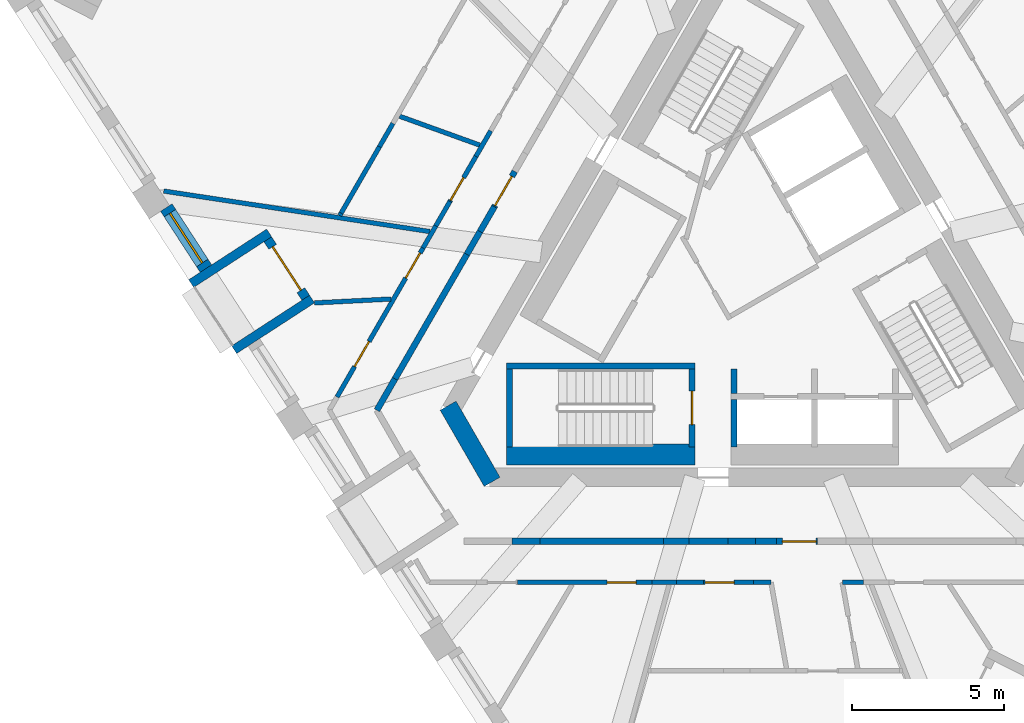
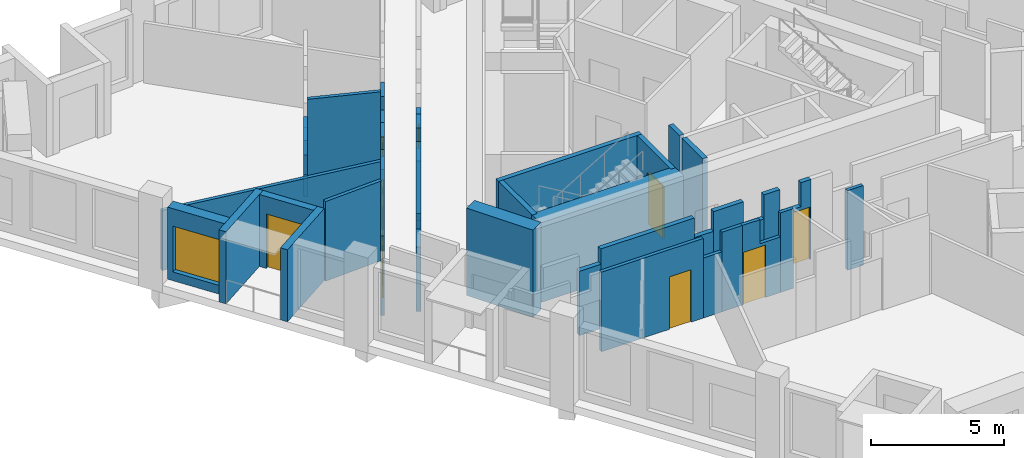
# One storey, part 3 of 12: 40 walls, 9 doors, 1 window, 10 openings.
"""IFC4 building model written with IfcOpenShell, lengths in metres."""

import ifcopenshell
import ifcopenshell.guid

model = None  # the IFC model being written
_history = None  # IfcOwnerHistory: only IFC2X3 demands one
_inside = {}  # id of a spatial element -> (the spatial element, [elements in it])
_under = {}  # id of a project, library or spatial element -> (it, [spatial elements below it])
_declared = {}  # id of a project -> (the project, [libraries it declares])
_typed = {}  # id of a type object -> (the type object, [elements of that type])
_made_of = {}  # id of a material, layer set ... -> (it, [elements and type objects made of it])


def new_model(schema):
    """Start an empty IFC model of exactly this schema.

    Asked for "IFC4X3", IfcOpenShell would pick the latest addendum, in which some entities
    have other attributes; the version numbers below select the first issue.
    IFC2X3 requires an IfcOwnerHistory on every rooted entity: one is made here for all.
    """
    global model, _history
    if schema == "IFC4X3":
        model = ifcopenshell.file(schema_version=(4, 3, 0, 0))
    else:
        model = ifcopenshell.file(schema=schema)
    _inside.clear()
    _under.clear()
    _declared.clear()
    _typed.clear()
    _made_of.clear()
    _history = None
    if model.schema == "IFC2X3":
        org = make("IfcOrganization", Name="unknown")
        user = make(
            "IfcPersonAndOrganization",
            ThePerson=make("IfcPerson", FamilyName="unknown"),
            TheOrganization=org,
        )
        app = make(
            "IfcApplication",
            ApplicationDeveloper=org,
            Version="unknown",
            ApplicationFullName="unknown",
            ApplicationIdentifier="unknown",
        )
        _history = make(
            "IfcOwnerHistory",
            OwningUser=user,
            OwningApplication=app,
            ChangeAction="ADDED",
            CreationDate=0,
        )
    return model


def make(cls, **values):
    """One entity of the class cls with the attributes given. An attribute that is None is left unset."""
    return model.create_entity(
        cls, **{name: value for name, value in values.items() if value is not None}
    )


def rooted(cls, **values):
    """An entity with a GlobalId (a new one), such as an element, a storey or a relation."""
    return make(cls, GlobalId=ifcopenshell.guid.new(), OwnerHistory=_history, **values)


def si_unit(unit_type, name, prefix=None):
    """IfcSIUnit, for example si_unit("LENGTHUNIT", "METRE", prefix="MILLI")."""
    return make("IfcSIUnit", UnitType=unit_type, Prefix=prefix, Name=name)


def assignment(units):
    """IfcUnitAssignment: the units of a project."""
    return None if units is None else make("IfcUnitAssignment", Units=units)


def point(xyz):
    """IfcCartesianPoint."""
    return None if xyz is None else make("IfcCartesianPoint", Coordinates=xyz)


def direction(xyz):
    """IfcDirection."""
    return None if xyz is None else make("IfcDirection", DirectionRatios=xyz)


def frame(location, z_axis=None, x_axis=None):
    """IfcAxis2Placement3D, a coordinate frame: its origin and axes. An axis left out is left unset."""
    return make(
        "IfcAxis2Placement3D",
        Location=point(location),
        Axis=direction(z_axis),
        RefDirection=direction(x_axis),
    )


def frame_2d(location, x_axis=None):
    """IfcAxis2Placement2D, a coordinate frame in the plane: its origin and x axis."""
    return make(
        "IfcAxis2Placement2D", Location=point(location), RefDirection=direction(x_axis)
    )


def origin():
    """The frame at (0, 0, 0) with its axes left unset."""
    return frame((0.0, 0.0, 0.0))


def place(relative_to, where):
    """IfcLocalPlacement: puts the frame where relative to a parent placement (None: the world)."""
    return make(
        "IfcLocalPlacement", PlacementRelTo=relative_to, RelativePlacement=where
    )


def context(
    kind, dimensions, precision=None, world=None, true_north=None, identifier=None
):
    """IfcGeometricRepresentationContext, for example the 3D "Model" context."""
    return make(
        "IfcGeometricRepresentationContext",
        ContextIdentifier=identifier,
        ContextType=kind,
        CoordinateSpaceDimension=dimensions,
        Precision=precision,
        WorldCoordinateSystem=world,
        TrueNorth=true_north,
    )


def subcontext(parent, identifier, kind, view, scale=None):
    """IfcGeometricRepresentationSubContext, for example "Body" below "Model"."""
    return make(
        "IfcGeometricRepresentationSubContext",
        ContextIdentifier=identifier,
        ContextType=kind,
        ParentContext=parent,
        TargetScale=scale,
        TargetView=view,
    )


def project(units=None, contexts=None):
    """IfcProject with its units and contexts."""
    return rooted(
        "IfcProject",
        Name="project",
        RepresentationContexts=contexts,
        UnitsInContext=assignment(units),
    )


def spatial(cls, under=None, at=None, **own):
    """A site, building, storey or space (cls), placed at a placement, below another one or the project."""
    s = rooted(cls, ObjectPlacement=at, **own)
    if under is not None:
        _under.setdefault(under.id(), (under, []))[1].append(s)
    return s


def polyline(points):
    """IfcPolyline through the points."""
    return make("IfcPolyline", Points=[point(p) for p in points])


def profile(cls, at=None, kind="AREA", **sizes):
    """A parametric profile (cls). Its sizes go by their IFC names, for example OverallWidth=200.0."""
    return make(cls, ProfileType=kind, Position=at, **sizes)


def rectangle(**sizes):
    """IfcRectangleProfileDef."""
    return profile("IfcRectangleProfileDef", **sizes)


def outline(outer, holes=None, kind="AREA"):
    """IfcArbitraryClosedProfileDef: a profile drawn as a closed curve; with holes, ...WithVoids."""
    if holes is None:
        return make("IfcArbitraryClosedProfileDef", ProfileType=kind, OuterCurve=outer)
    return make(
        "IfcArbitraryProfileDefWithVoids",
        ProfileType=kind,
        OuterCurve=outer,
        InnerCurves=holes,
    )


def extrude(swept, where, along, depth):
    """IfcExtrudedAreaSolid: the profile swept, set in the frame where, extruded along a direction by depth."""
    return make(
        "IfcExtrudedAreaSolid",
        SweptArea=swept,
        Position=where,
        ExtrudedDirection=direction(along),
        Depth=depth,
    )


def shape(context_of_items, identifier, shape_type, items):
    """IfcShapeRepresentation: the items that make up one representation, for example the "Body"."""
    return make(
        "IfcShapeRepresentation",
        ContextOfItems=context_of_items,
        RepresentationIdentifier=identifier,
        RepresentationType=shape_type,
        Items=items,
    )


def material(Name=None, Category=None):
    """IfcMaterial."""
    return make("IfcMaterial", Name=Name, Category=Category)


def layer(
    of_material, thickness, ventilated=None, Name=None, Category=None, Priority=None
):
    """IfcMaterialLayer: one layer of a wall or slab, of a material (None: an air gap)."""
    return make(
        "IfcMaterialLayer",
        Material=of_material,
        LayerThickness=thickness,
        IsVentilated=ventilated,
        Name=Name,
        Category=Category,
        Priority=Priority,
    )


def layer_set(layers, Name=None):
    """IfcMaterialLayerSet."""
    return make("IfcMaterialLayerSet", MaterialLayers=layers, LayerSetName=Name)


def made_of(thing, what):
    """Note that an element or type object is made of a material, layer set ...; save() writes the relation."""
    if what is not None:
        _made_of.setdefault(what.id(), (what, []))[1].append(thing)
    return thing


def type_object(cls, material=None, **own):
    """A type object (cls), such as IfcWallType, which elements share."""
    return made_of(rooted(cls, **own), material)


def element(
    cls,
    number,
    at=None,
    inside=None,
    cuts=None,
    type_object=None,
    material=None,
    context=None,
    identifier="Body",
    shape_type=None,
    held_by="IfcProductDefinitionShape",
    body=None,
    shapes=None,
    **own,
):
    """One element of the class cls, such as IfcWall. Its Tag is "e" and its number.

    at: its placement. inside: the storey or other place that contains it. cuts: it is an
    opening in that element (IfcRelVoidsElement). A single representation is given by context,
    identifier, shape_type and body (its items); several are given by shapes. held_by: the class
    of the entity that holds the representations. save() writes the other relations.
    """
    e = rooted(cls, Tag="e%d" % number, ObjectPlacement=at, **own)
    if body is not None:
        shapes = [shape(context, identifier, shape_type, body)]
    if shapes is not None:
        e.Representation = make(held_by, Representations=shapes)
    if inside is not None:
        _inside.setdefault(inside.id(), (inside, []))[1].append(e)
    if cuts is not None:
        rooted(
            "IfcRelVoidsElement", RelatingBuildingElement=cuts, RelatedOpeningElement=e
        )
    if type_object is not None:
        _typed.setdefault(type_object.id(), (type_object, []))[1].append(e)
    return made_of(e, material)


def fill(opening, filler):
    """IfcRelFillsElement: the door or window that sits in an opening."""
    return rooted(
        "IfcRelFillsElement",
        RelatingOpeningElement=opening,
        RelatedBuildingElement=filler,
    )


def aggregate(whole, parts):
    """IfcRelAggregates: a whole, such as a stair, and the parts it consists of."""
    return rooted("IfcRelAggregates", RelatingObject=whole, RelatedObjects=parts)


def save(model, path):
    """Write the relations noted so far, then the file.

    IfcRelAggregates (storeys below a building ...), IfcRelContainedInSpatialStructure (elements
    in a storey), IfcRelDefinesByType, IfcRelAssociatesMaterial and IfcRelDeclares: one each for
    every whole, place, type object, material and project.
    """
    for whole, parts in _under.values():
        aggregate(whole, parts)
    for where, things in _inside.values():
        rooted(
            "IfcRelContainedInSpatialStructure",
            RelatedElements=things,
            RelatingStructure=where,
        )
    for kind, things in _typed.values():
        rooted("IfcRelDefinesByType", RelatedObjects=things, RelatingType=kind)
    for what, things in _made_of.values():
        rooted("IfcRelAssociatesMaterial", RelatedObjects=things, RelatingMaterial=what)
    for by, libraries in _declared.values():
        rooted("IfcRelDeclares", RelatingContext=by, RelatedDefinitions=libraries)
    model.write(path)


model = new_model("IFC4")

# Units and contexts
model_context = context("Model", 3, precision=1e-05, world=origin(), true_north=direction((0.0, 1.0)))
body_context = subcontext(model_context, "Body", "Model", "MODEL_VIEW")
ifc_project = project(units=[si_unit("LENGTHUNIT", "METRE"), si_unit("AREAUNIT", "SQUARE_METRE"), si_unit("VOLUMEUNIT", "CUBIC_METRE"), si_unit("PLANEANGLEUNIT", "RADIAN"), si_unit("MASSUNIT", "GRAM", prefix="KILO")], contexts=[model_context])

# Site, building, storey
site_placement = place(None, origin())
site = spatial("IfcSite", under=ifc_project, at=site_placement, CompositionType="ELEMENT")
building_placement = place(site_placement, origin())
building = spatial("IfcBuilding", under=site, at=building_placement, Name="Tramontana Tower", CompositionType="ELEMENT")
storey_placement = place(building_placement, frame((0.0, 0.0, 274.39990234375)))
storey = spatial("IfcBuildingStorey", under=building, at=storey_placement, Name="L64", CompositionType="ELEMENT", Elevation=274.39990234375)

# Wall
ifc_material_1 = material(Name="Concrete 70 MPa", Category="concrete")
ifc_layer_1 = layer(ifc_material_1, 0.60009765625)
ifc_layer_set_1 = layer_set([ifc_layer_1], Name="Core wall 600 70 MPa")
wall_type_1 = type_object("IfcWallType", Name="Core wall 600 70 MPa", PredefinedType="SHEAR", material=ifc_layer_set_1)
wall_1_placement = place(storey_placement, frame((-9.98828125, -4.10009765625, 0.0), z_axis=(0.0, 0.0, 1.0), x_axis=(0.499995765644, -0.866027848477, 0.0)))
element("IfcWall", 1, at=wall_1_placement, inside=storey, type_object=wall_type_1, Name="Core wall C2 L64", PredefinedType="SHEAR", context=body_context, shape_type="SweptSolid", body=[
    extrude(rectangle(XDim=2.88671875, YDim=0.60009765625, at=frame_2d((1.443359375, 0.0))), origin(), (0.0, 0.0, 1.0), 4.0),
])

# Wall, opening, door
ifc_material_2 = material(Name="Blockwork", Category="masonry")
ifc_layer_2 = layer(ifc_material_2, 0.199951171875)
ifc_layer_set_2 = layer_set([ifc_layer_2], Name="ENTRY WALL 200")
wall_type_2 = type_object("IfcWallType", Name="ENTRY WALL 200", PredefinedType="SOLIDWALL", material=ifc_layer_set_2)
wall_2_placement = place(storey_placement, frame((2.13427734375, -8.550048828125, 0.0), z_axis=(0.0, 0.0, 1.0), x_axis=(-1.0, 0.0, 0.0)))
wall_2 = element("IfcWall", 2, at=wall_2_placement, inside=storey, type_object=wall_type_2, Name="Wall v70-ew1-4", PredefinedType="SOLIDWALL", context=body_context, shape_type="SweptSolid", body=[
    extrude(outline(polyline([(0.0, 0.0), (1.339111328125, 0.0), (1.3388671875, 2.550048828125), (0.429443359375, 2.550048828125), (0.429443359375, 3.650146484375), (0.0, 3.650146484375), (0.0, 0.0)])), frame((0.0, 0.10009765625, 0.0), z_axis=(0.0, -1.0, 0.0), x_axis=(1.0, 0.0, 0.0)), (0.0, 0.0, 1.0), 0.199951171875),
])
opening_1_placement = place(wall_2_placement, frame((0.050048828125, 0.0, 0.0)))
opening_1 = element("IfcOpeningElement", 3, at=opening_1_placement, cuts=wall_2, Name="Opening B7A-22", PredefinedType="OPENING", context=body_context, shape_type="SweptSolid", body=[
    extrude(rectangle(XDim=1.10009765625, YDim=2.39990234375, at=frame_2d((0.550048828125, 1.199951171875))), frame((0.0, 0.10986328125, 0.0), z_axis=(0.0, -1.0, 0.0), x_axis=(1.0, 0.0, 0.0)), (0.0, 0.0, 1.0), 0.219970703125),
])
ifc_material_3 = material(Name="Painted timber", Category="wood")
door_type_1 = type_object("IfcDoorType", Name="DOOR ENTRY 1100", OperationType="SINGLE_SWING_LEFT", PredefinedType="DOOR", material=ifc_material_3)
door_1_placement = place(opening_1_placement, origin())
door_1 = element("IfcDoor", 4, at=door_1_placement, inside=storey, type_object=door_type_1, Name="Door B7A-22", OperationType="SINGLE_SWING_RIGHT", OverallHeight=2.39990234375, OverallWidth=1.10009765625, PredefinedType="DOOR", context=body_context, shape_type="SweptSolid", body=[
    extrude(rectangle(XDim=1.10009765625, YDim=2.39990234375, at=frame_2d((0.550048828125, 1.199951171875))), frame((0.0, 0.02490234375, 0.0), z_axis=(0.0, -1.0, 0.0), x_axis=(1.0, 0.0, 0.0)), (0.0, 0.0, 1.0), 0.050048828125),
])
fill(opening_1, door_1)

# Walls
wall_3_placement = place(storey_placement, frame((0.795166015625, -8.550048828125, 0.0), z_axis=(0.0, 0.0, 1.0), x_axis=(-1.0, 0.0, 0.0)))
element("IfcWall", 5, at=wall_3_placement, inside=storey, type_object=wall_type_2, Name="Wall v70-ew1-5", PredefinedType="SOLIDWALL", context=body_context, shape_type="SweptSolid", body=[
    extrude(rectangle(XDim=0.69091796875, YDim=0.199951171875, at=frame_2d((0.345458984375, 0.0))), origin(), (0.0, 0.0, 1.0), 3.650146484375),
])
wall_4_placement = place(storey_placement, frame((0.104248046875, -8.550048828125, 0.0), z_axis=(0.0, 0.0, 1.0), x_axis=(-1.0, 0.0, 0.0)))
element("IfcWall", 6, at=wall_4_placement, inside=storey, type_object=wall_type_2, Name="Wall v70-ew1-6", PredefinedType="SOLIDWALL", context=body_context, shape_type="SweptSolid", body=[
    extrude(rectangle(XDim=0.900634765625, YDim=0.199951171875, at=frame_2d((0.4501953125, 0.0))), origin(), (0.0, 0.0, 1.0), 2.550048828125),
])
wall_5_placement = place(storey_placement, frame((-0.79638671875, -8.550048828125, 0.0), z_axis=(0.0, 0.0, 1.0), x_axis=(-1.0, 0.0, 0.0)))
element("IfcWall", 7, at=wall_5_placement, inside=storey, type_object=wall_type_2, Name="Wall v70-ew1-7", PredefinedType="SOLIDWALL", context=body_context, shape_type="SweptSolid", body=[
    extrude(rectangle(XDim=1.2861328125, YDim=0.199951171875, at=frame_2d((0.64306640625, 0.0))), origin(), (0.0, 0.0, 1.0), 3.650146484375),
])
wall_6_placement = place(storey_placement, frame((-2.08251953125, -8.550048828125, 0.0), z_axis=(0.0, 0.0, 1.0), x_axis=(-1.0, 0.0, 0.0)))
element("IfcWall", 8, at=wall_6_placement, inside=storey, type_object=wall_type_2, Name="Wall v70-ew1-8", PredefinedType="SOLIDWALL", context=body_context, shape_type="SweptSolid", body=[
    extrude(rectangle(XDim=0.83349609375, YDim=0.199951171875, at=frame_2d((0.416748046875, 0.0))), origin(), (0.0, 0.0, 1.0), 2.75),
])
wall_7_placement = place(storey_placement, frame((-2.916015625, -8.550048828125, 0.0), z_axis=(0.0, 0.0, 1.0), x_axis=(-1.0, 0.0, 0.0)))
element("IfcWall", 9, at=wall_7_placement, inside=storey, type_object=wall_type_2, Name="Wall v70-ew1-9", PredefinedType="SOLIDWALL", context=body_context, shape_type="SweptSolid", body=[
    extrude(rectangle(XDim=4.052490234375, YDim=0.199951171875, at=frame_2d((2.0263671875, 0.0))), origin(), (0.0, 0.0, 1.0), 3.650146484375),
])
wall_8_placement = place(storey_placement, frame((-6.968505859375, -8.550048828125, 0.0), z_axis=(0.0, 0.0, 1.0), x_axis=(-1.0, 0.0, 0.0)))
element("IfcWall", 10, at=wall_8_placement, inside=storey, type_object=wall_type_2, Name="Wall v70-ew1-10", PredefinedType="SOLIDWALL", context=body_context, shape_type="SweptSolid", body=[
    extrude(rectangle(XDim=0.927490234375, YDim=0.199951171875, at=frame_2d((0.4638671875, 0.0))), origin(), (0.0, 0.0, 1.0), 2.9501953125),
])
wall_9_placement = place(storey_placement, frame((-12.326416015625, -4.25, 0.0), z_axis=(0.0, 0.0, 1.0), x_axis=(0.499983247966, 0.86603507536, 0.0)))
element("IfcWall", 11, at=wall_9_placement, inside=storey, type_object=wall_type_2, Name="Wall v70-ew3-0", PredefinedType="SOLIDWALL", context=body_context, shape_type="SweptSolid", body=[
    extrude(rectangle(XDim=1.1884765625, YDim=0.199951171875, at=frame_2d((0.59423828125, 0.0))), origin(), (0.0, 0.0, 1.0), 2.9501953125),
])
wall_10_placement = place(storey_placement, frame((-11.732177734375, -3.220703125, 0.0), z_axis=(0.0, 0.0, 1.0), x_axis=(0.500007683529, 0.866020967652, 0.0)))
element("IfcWall", 12, at=wall_10_placement, inside=storey, type_object=wall_type_2, Name="Wall v70-ew3-1", PredefinedType="SOLIDWALL", context=body_context, shape_type="SweptSolid", body=[
    extrude(rectangle(XDim=4.71728515625, YDim=0.199951171875, at=frame_2d((2.358642578125, 0.0))), origin(), (0.0, 0.0, 1.0), 3.650146484375),
])
wall_11_placement = place(storey_placement, frame((-9.37353515625, 0.864501953125, 0.0), z_axis=(0.0, 0.0, 1.0), x_axis=(0.500056482814, 0.86599279096, 0.0)))
element("IfcWall", 13, at=wall_11_placement, inside=storey, type_object=wall_type_2, Name="Wall v70-ew3-2", PredefinedType="SOLIDWALL", context=body_context, shape_type="SweptSolid", body=[
    extrude(rectangle(XDim=0.86474609375, YDim=0.199951171875, at=frame_2d((0.432373046875, 0.0))), origin(), (0.0, 0.0, 1.0), 2.75),
])
wall_12_placement = place(storey_placement, frame((-8.941162109375, 1.61328125, 0.0), z_axis=(0.0, 0.0, 1.0), x_axis=(0.499857464265, 0.866107681191, 0.0)))
element("IfcWall", 14, at=wall_12_placement, inside=storey, type_object=wall_type_2, Name="Wall v70-ew3-3", PredefinedType="SOLIDWALL", context=body_context, shape_type="SweptSolid", body=[
    extrude(rectangle(XDim=0.939208984375, YDim=0.199951171875, at=frame_2d((0.4697265625, 0.0))), origin(), (0.0, 0.0, 1.0), 3.650146484375),
])

# Wall, opening, door
wall_13_placement = place(storey_placement, frame((-8.4716796875, 2.4267578125, 0.0), z_axis=(0.0, 0.0, 1.0), x_axis=(0.500022371132, 0.86601248742, 0.0)))
wall_13 = element("IfcWall", 15, at=wall_13_placement, inside=storey, type_object=wall_type_2, Name="Wall v70-ew3-4", PredefinedType="SOLIDWALL", context=body_context, shape_type="SweptSolid", body=[
    extrude(outline(polyline([(0.0, 0.0), (1.3388671875, 0.0), (1.3388671875, 2.550048828125), (0.429443359375, 2.550048828125), (0.429443359375, 3.650146484375), (0.0, 3.650146484375), (0.0, 0.0)])), frame((0.0, 0.10009765625, 0.0), z_axis=(0.0, -1.0, 0.0), x_axis=(1.0, 0.0, 0.0)), (0.0, 0.0, 1.0), 0.199951171875),
])
opening_2_placement = place(wall_13_placement, frame((0.050048828125, 0.0, 0.0)))
opening_2 = element("IfcOpeningElement", 16, at=opening_2_placement, cuts=wall_13, Name="Opening B7A-21", PredefinedType="OPENING", context=body_context, shape_type="SweptSolid", body=[
    extrude(rectangle(XDim=1.10009765625, YDim=2.39990234375, at=frame_2d((0.550048828125, 1.199951171875))), frame((0.0, 0.10986328125, 0.0), z_axis=(0.0, -1.0, 0.0), x_axis=(1.0, 0.0, 0.0)), (0.0, 0.0, 1.0), 0.219970703125),
])
door_2_placement = place(opening_2_placement, origin())
door_2 = element("IfcDoor", 17, at=door_2_placement, inside=storey, type_object=door_type_1, Name="Door B7A-21", OperationType="SINGLE_SWING_LEFT", OverallHeight=2.39990234375, OverallWidth=1.10009765625, PredefinedType="DOOR", context=body_context, shape_type="SweptSolid", body=[
    extrude(rectangle(XDim=1.10009765625, YDim=2.39990234375, at=frame_2d((0.550048828125, 1.199951171875))), frame((0.0, 0.02490234375, 0.0), z_axis=(0.0, -1.0, 0.0), x_axis=(1.0, 0.0, 0.0)), (0.0, 0.0, 1.0), 0.050048828125),
])
fill(opening_2, door_2)

# Wall, opening, window
ifc_material_4 = material(Name="Precast concrete 60 MPa", Category="concrete")
ifc_layer_3 = layer(ifc_material_4, 0.449951171875)
ifc_layer_set_3 = layer_set([ifc_layer_3], Name="Precast concrete 60 MPa, 450 mm")
wall_type_3 = type_object("IfcWallType", Name="EW1 Stone-faced precast wall 450", PredefinedType="SOLIDWALL", material=ifc_layer_set_3)
wall_14_placement = place(storey_placement, frame((-19.236083984375, 2.401123046875, 0.0), z_axis=(0.0, 0.0, 1.0), x_axis=(0.544675520966, -0.838646872563, 0.0)))
wall_14 = element("IfcWall", 18, at=wall_14_placement, inside=storey, type_object=wall_type_3, Name="External wall L64 face 0 bay 2", PredefinedType="SOLIDWALL", context=body_context, shape_type="SweptSolid", body=[
    extrude(rectangle(XDim=2.38671875, YDim=0.449951171875, at=frame_2d((1.193359375, 0.0))), origin(), (0.0, 0.0, 1.0), 3.300048828125),
])
opening_3_placement = place(wall_14_placement, frame((0.21826171875, 0.0, 0.39990234375)))
opening_3 = element("IfcOpeningElement", 19, at=opening_3_placement, cuts=wall_14, Name="Opening M3L", PredefinedType="OPENING", context=body_context, shape_type="SweptSolid", body=[
    extrude(rectangle(XDim=1.949951171875, YDim=2.10009765625, at=frame_2d((0.97509765625, 1.050048828125))), frame((0.0, 0.23486328125, 0.0), z_axis=(0.0, -1.0, 0.0), x_axis=(1.0, 0.0, 0.0)), (0.0, 0.0, 1.0), 0.469970703125),
])
ifc_material_5 = material(Name="Aluminum frame, double glazing unit", Category="aluminium")
window_type = type_object("IfcWindowType", Name="M3L Window 1.95 x 2.1", PartitioningType="SINGLE_PANEL", PredefinedType="WINDOW", material=ifc_material_5)
window_placement = place(opening_3_placement, origin())
window = element("IfcWindow", 20, at=window_placement, inside=storey, type_object=window_type, Name="Window M3L L64 face 0 module 4", OverallHeight=2.10009765625, OverallWidth=1.949951171875, PartitioningType="SINGLE_PANEL", PredefinedType="WINDOW", context=body_context, shape_type="SweptSolid", body=[
    extrude(rectangle(XDim=1.949951171875, YDim=2.10009765625, at=frame_2d((0.97509765625, 1.050048828125))), frame((0.0, 0.030029296875, 0.0), z_axis=(0.0, -1.0, 0.0), x_axis=(1.0, 0.0, 0.0)), (0.0, 0.0, 1.0), 0.06005859375),
])
fill(opening_3, window)

# Wall, opening, door
ifc_material_6 = material(Name="Precast concrete 60 MPa", Category="concrete")
ifc_layer_4 = layer(ifc_material_6, 0.300048828125)
ifc_layer_set_4 = layer_set([ifc_layer_4], Name="LW1 Stone-faced loggia wall 300")
wall_type_4 = type_object("IfcWallType", Name="LW1 Stone-faced loggia wall 300", PredefinedType="SOLIDWALL", material=ifc_layer_set_4)
wall_15_placement = place(storey_placement, frame((-15.90673828125, 1.359619140625, 0.0), z_axis=(0.0, 0.0, 1.0), x_axis=(0.544658103125, -0.838658184662, 0.0)))
wall_15 = element("IfcWall", 21, at=wall_15_placement, inside=storey, type_object=wall_type_4, Name="Loggia wall L64 G7S0.4", PredefinedType="SOLIDWALL", context=body_context, shape_type="SweptSolid", body=[
    extrude(rectangle(XDim=2.286865234375, YDim=0.300048828125, at=frame_2d((1.1435546875, 0.0))), origin(), (0.0, 0.0, 1.0), 3.300048828125),
])
opening_4_placement = place(wall_15_placement, frame((0.29345703125, 0.0, 0.0)))
opening_4 = element("IfcOpeningElement", 22, at=opening_4_placement, cuts=wall_15, Name="Opening BD-7S0-04", PredefinedType="OPENING", context=body_context, shape_type="SweptSolid", body=[
    extrude(rectangle(XDim=1.699951171875, YDim=2.5, at=frame_2d((0.85009765625, 1.25))), frame((0.0, 0.159912109375, 0.0), z_axis=(0.0, -1.0, 0.0), x_axis=(1.0, 0.0, 0.0)), (0.0, 0.0, 1.0), 0.320068359375),
])
ifc_material_7 = material(Name="Aluminum frame, double glazing unit", Category="aluminium")
door_type_2 = type_object("IfcDoorType", Name="BD3 Sliding door 1.7 x 2.5", OperationType="SLIDING_TO_LEFT", PredefinedType="DOOR", material=ifc_material_7)
door_3_placement = place(opening_4_placement, origin())
door_3 = element("IfcDoor", 23, at=door_3_placement, inside=storey, type_object=door_type_2, Name="Loggia door L64 G7S0.4", OperationType="SLIDING_TO_LEFT", OverallHeight=2.5, OverallWidth=1.699951171875, PredefinedType="DOOR", context=body_context, shape_type="SweptSolid", body=[
    extrude(rectangle(XDim=1.699951171875, YDim=2.5, at=frame_2d((0.85009765625, 1.25))), frame((0.0, 0.02490234375, 0.0), z_axis=(0.0, -1.0, 0.0), x_axis=(1.0, 0.0, 0.0)), (0.0, 0.0, 1.0), 0.050048828125),
])
fill(opening_4, door_3)

# Walls
for number, where, z_axis, x_axis, name in (
    (24, (-18.42041015625, -0.093994140625, 0.0), (0.0, 0.0, 1.0), (0.838664840319, 0.544647854685, 0.0), "Loggia return L64 G7S0.4a"),
    (25, (-17.01171875, -2.263427734375, 0.0), (0.0, 0.0, 1.0), (0.838664840319, 0.544647854685, 0.0), "Loggia return L64 G7S0.4b"),
):
    element("IfcWall", number, at=place(storey_placement, frame(where, z_axis=z_axis, x_axis=x_axis)), inside=storey, type_object=wall_type_4, Name=name, PredefinedType="SOLIDWALL", context=body_context, shape_type="SweptSolid", body=[
        extrude(rectangle(XDim=3.0498046875, YDim=0.300048828125, at=frame_2d((1.52490234375, 0.0))), origin(), (0.0, 0.0, 1.0), 3.300048828125),
    ])

# Wall, openings, doors
ifc_material_8 = material(Name="Gypsum board partition")
ifc_layer_5 = layer(ifc_material_8, 0.14990234375)
ifc_layer_set_5 = layer_set([ifc_layer_5], Name="PARTITION 150")
wall_type_5 = type_object("IfcWallType", Name="PARTITION 150", PredefinedType="PARTITIONING", material=ifc_layer_set_5)
wall_16_placement = place(storey_placement, frame((-13.63427734375, -3.815185546875, 0.0), z_axis=(0.0, 0.0, 1.0), x_axis=(0.500005829693, 0.866022037983, 0.0)))
wall_16 = element("IfcWall", 26, at=wall_16_placement, inside=storey, type_object=wall_type_5, Name="Wall v70-pw00-1", PredefinedType="PARTITIONING", context=body_context, shape_type="SweptSolid", body=[
    extrude(rectangle(XDim=5.64306640625, YDim=0.14990234375, at=frame_2d((2.821533203125, 0.0))), origin(), (0.0, 0.0, 1.0), 3.650146484375),
])
opening_5_placement = place(wall_16_placement, frame((4.509765625, 0.0, 0.0)))
opening_5 = element("IfcOpeningElement", 27, at=opening_5_placement, cuts=wall_16, Name="Opening B7A-05", PredefinedType="OPENING", context=body_context, shape_type="SweptSolid", body=[
    extrude(rectangle(XDim=0.949951171875, YDim=2.39990234375, at=frame_2d((0.47509765625, 1.199951171875))), frame((0.0, 0.0849609375, 0.0), z_axis=(0.0, -1.0, 0.0), x_axis=(1.0, 0.0, 0.0)), (0.0, 0.0, 1.0), 0.169921875),
])
opening_6_placement = place(wall_16_placement, frame((1.15380859375, 0.0, 0.0)))
opening_6 = element("IfcOpeningElement", 28, at=opening_6_placement, cuts=wall_16, Name="Opening B7A-06", PredefinedType="OPENING", context=body_context, shape_type="SweptSolid", body=[
    extrude(rectangle(XDim=0.949951171875, YDim=2.39990234375, at=frame_2d((0.47509765625, 1.199951171875))), frame((0.0, 0.0849609375, 0.0), z_axis=(0.0, -1.0, 0.0), x_axis=(1.0, 0.0, 0.0)), (0.0, 0.0, 1.0), 0.169921875),
])
ifc_material_9 = material(Name="Painted timber", Category="wood")
door_type_3 = type_object("IfcDoorType", Name="DOOR ROOM 950", OperationType="SINGLE_SWING_LEFT", PredefinedType="DOOR", material=ifc_material_9)
door_4_placement = place(opening_5_placement, origin())
door_4 = element("IfcDoor", 29, at=door_4_placement, inside=storey, type_object=door_type_3, Name="Door B7A-05", OperationType="SINGLE_SWING_LEFT", OverallHeight=2.39990234375, OverallWidth=0.949951171875, PredefinedType="DOOR", context=body_context, shape_type="SweptSolid", body=[
    extrude(rectangle(XDim=0.949951171875, YDim=2.39990234375, at=frame_2d((0.47509765625, 1.199951171875))), frame((0.0, 0.02490234375, 0.0), z_axis=(0.0, -1.0, 0.0), x_axis=(1.0, 0.0, 0.0)), (0.0, 0.0, 1.0), 0.050048828125),
])
fill(opening_5, door_4)
door_5_placement = place(opening_6_placement, origin())
door_5 = element("IfcDoor", 30, at=door_5_placement, inside=storey, type_object=door_type_3, Name="Door B7A-06", OperationType="SINGLE_SWING_RIGHT", OverallHeight=2.39990234375, OverallWidth=0.949951171875, PredefinedType="DOOR", context=body_context, shape_type="SweptSolid", body=[
    extrude(rectangle(XDim=0.949951171875, YDim=2.39990234375, at=frame_2d((0.47509765625, 1.199951171875))), frame((0.0, 0.02490234375, 0.0), z_axis=(0.0, -1.0, 0.0), x_axis=(1.0, 0.0, 0.0)), (0.0, 0.0, 1.0), 0.050048828125),
])
fill(opening_6, door_5)

# Walls
wall_17_placement = place(storey_placement, frame((-10.812744140625, 1.07177734375, 0.0), z_axis=(0.0, 0.0, 1.0), x_axis=(0.500025132165, 0.866010893236, 0.0)))
element("IfcWall", 31, at=wall_17_placement, inside=storey, type_object=wall_type_5, Name="Wall v70-pw00-2", PredefinedType="PARTITIONING", context=body_context, shape_type="SweptSolid", body=[
    extrude(rectangle(XDim=0.837890625, YDim=0.14990234375, at=frame_2d((0.4189453125, 0.0))), origin(), (0.0, 0.0, 1.0), 2.75),
])
wall_18_placement = place(storey_placement, frame((-10.393798828125, 1.79736328125, 0.0), z_axis=(0.0, 0.0, 1.0), x_axis=(0.499996383721, 0.866027491634, 0.0)))
element("IfcWall", 32, at=wall_18_placement, inside=storey, type_object=wall_type_5, Name="Wall v70-pw00-3", PredefinedType="PARTITIONING", context=body_context, shape_type="SweptSolid", body=[
    extrude(rectangle(XDim=0.92578125, YDim=0.14990234375, at=frame_2d((0.462890625, 0.0))), origin(), (0.0, 0.0, 1.0), 3.650146484375),
])

# Wall, opening, door
wall_19_placement = place(storey_placement, frame((-9.930908203125, 2.59912109375, 0.0), z_axis=(0.0, 0.0, 1.0), x_axis=(0.500056273262, 0.865992911964, 0.0)))
wall_19 = element("IfcWall", 33, at=wall_19_placement, inside=storey, type_object=wall_type_5, Name="Wall v70-pw00-4", PredefinedType="PARTITIONING", context=body_context, shape_type="SweptSolid", body=[
    extrude(outline(polyline([(0.0, 0.0), (1.709228515625, 0.0), (1.709228515625, 2.550048828125), (0.824951171875, 2.550048828125), (0.824951171875, 3.650146484375), (0.0, 3.650146484375), (0.0, 0.0)])), frame((0.0, 0.074951171875, 0.0), z_axis=(0.0, -1.0, 0.0), x_axis=(1.0, 0.0, 0.0)), (0.0, 0.0, 1.0), 0.14990234375),
])
opening_7_placement = place(wall_19_placement, frame((0.050048828125, 0.0, 0.0)))
opening_7 = element("IfcOpeningElement", 34, at=opening_7_placement, cuts=wall_19, Name="Opening B7A-02", PredefinedType="OPENING", context=body_context, shape_type="SweptSolid", body=[
    extrude(rectangle(XDim=0.85009765625, YDim=2.39990234375, at=frame_2d((0.425048828125, 1.199951171875))), frame((0.0, 0.0849609375, 0.0), z_axis=(0.0, -1.0, 0.0), x_axis=(1.0, 0.0, 0.0)), (0.0, 0.0, 1.0), 0.169921875),
])
ifc_material_10 = material(Name="Painted timber", Category="wood")
door_type_4 = type_object("IfcDoorType", Name="DOOR BATH 850", OperationType="SINGLE_SWING_LEFT", PredefinedType="DOOR", material=ifc_material_10)
door_6_placement = place(opening_7_placement, origin())
door_6 = element("IfcDoor", 35, at=door_6_placement, inside=storey, type_object=door_type_4, Name="Door B7A-02", OperationType="SINGLE_SWING_RIGHT", OverallHeight=2.39990234375, OverallWidth=0.85009765625, PredefinedType="DOOR", context=body_context, shape_type="SweptSolid", body=[
    extrude(rectangle(XDim=0.85009765625, YDim=2.39990234375, at=frame_2d((0.425048828125, 1.199951171875))), frame((0.0, 0.02490234375, 0.0), z_axis=(0.0, -1.0, 0.0), x_axis=(1.0, 0.0, 0.0)), (0.0, 0.0, 1.0), 0.050048828125),
])
fill(opening_7, door_6)

# Walls
wall_20_placement = place(storey_placement, frame((-9.076171875, 4.079345703125, 0.0), z_axis=(0.0, 0.0, 1.0), x_axis=(0.499882561262, 0.866093196455, 0.0)))
element("IfcWall", 36, at=wall_20_placement, inside=storey, type_object=wall_type_5, Name="Wall v70-pw00-5", PredefinedType="PARTITIONING", context=body_context, shape_type="SweptSolid", body=[
    extrude(rectangle(XDim=0.968017578125, YDim=0.14990234375, at=frame_2d((0.48388671875, 0.0))), origin(), (0.0, 0.0, 1.0), 3.650146484375),
])
wall_21_placement = place(storey_placement, frame((-13.545166015625, 2.13916015625, 0.0), z_axis=(0.0, 0.0, 1.0), x_axis=(0.499332966107, 0.866410173624, 0.0)))
element("IfcWall", 37, at=wall_21_placement, inside=storey, type_object=wall_type_5, Name="Wall v70-pw02-0", PredefinedType="PARTITIONING", context=body_context, shape_type="SweptSolid", body=[
    extrude(rectangle(XDim=0.09033203125, YDim=0.14990234375, at=frame_2d((0.045166015625, 0.0))), origin(), (0.0, 0.0, 1.0), 2.75),
])
wall_22_placement = place(storey_placement, frame((-13.5, 2.217529296875, 0.0), z_axis=(0.0, 0.0, 1.0), x_axis=(0.500010832295, 0.866019149666, 0.0)))
element("IfcWall", 38, at=wall_22_placement, inside=storey, type_object=wall_type_5, Name="Wall v70-pw02-1", PredefinedType="PARTITIONING", context=body_context, shape_type="SweptSolid", body=[
    extrude(rectangle(XDim=2.51611328125, YDim=0.14990234375, at=frame_2d((1.258056640625, 0.0))), origin(), (0.0, 0.0, 1.0), 3.650146484375),
])
wall_23_placement = place(storey_placement, frame((-12.241943359375, 4.396484375, 0.0), z_axis=(0.0, 0.0, 1.0), x_axis=(0.500088960417, 0.865974036371, 0.0)))
element("IfcWall", 39, at=wall_23_placement, inside=storey, type_object=wall_type_5, Name="Wall v70-pw02-2", PredefinedType="PARTITIONING", context=body_context, shape_type="SweptSolid", body=[
    extrude(rectangle(XDim=0.884033203125, YDim=0.14990234375, at=frame_2d((0.44189453125, 0.0))), origin(), (0.0, 0.0, 1.0), 2.550048828125),
])
wall_24_placement = place(storey_placement, frame((-11.865234375, -0.60107421875, 0.0), z_axis=(0.0, 0.0, 1.0), x_axis=(-0.99871519822, -0.050674972563, 0.0)))
element("IfcWall", 40, at=wall_24_placement, inside=storey, type_object=wall_type_5, Name="Wall v70-pw04", PredefinedType="PARTITIONING", context=body_context, shape_type="SweptSolid", body=[
    extrude(rectangle(XDim=2.510009765625, YDim=0.14990234375, at=frame_2d((1.2548828125, 0.0))), origin(), (0.0, 0.0, 1.0), 3.650146484375),
])
wall_25_placement = place(storey_placement, frame((-10.587158203125, 1.61279296875, 0.0), z_axis=(0.0, 0.0, 1.0), x_axis=(-0.988598095377, 0.150578238191, 0.0)))
element("IfcWall", 41, at=wall_25_placement, inside=storey, type_object=wall_type_5, Name="Wall v70-pw07-0", PredefinedType="PARTITIONING", context=body_context, shape_type="SweptSolid", body=[
    extrude(rectangle(XDim=8.833251953125, YDim=0.14990234375, at=frame_2d((4.41650390625, 0.0))), origin(), (0.0, 0.0, 1.0), 2.75),
])
wall_26_placement = place(storey_placement, frame((-8.949462890625, 4.44921875, 0.0), z_axis=(0.0, 0.0, 1.0), x_axis=(-0.940703467008, 0.33922999154, 0.0)))
element("IfcWall", 42, at=wall_26_placement, inside=storey, type_object=wall_type_5, Name="Wall v70-pw08", PredefinedType="PARTITIONING", context=body_context, shape_type="SweptSolid", body=[
    extrude(rectangle(XDim=2.7939453125, YDim=0.14990234375, at=frame_2d((1.39697265625, 0.0))), origin(), (0.0, 0.0, 1.0), 3.650146484375),
])
wall_27_placement = place(storey_placement, frame((0.604736328125, -9.89990234375, 0.0), z_axis=(0.0, 0.0, 1.0), x_axis=(-1.0, 0.0, 0.0)))
element("IfcWall", 43, at=wall_27_placement, inside=storey, type_object=wall_type_5, Name="Wall v70-pw14-0", PredefinedType="PARTITIONING", context=body_context, shape_type="SweptSolid", body=[
    extrude(rectangle(XDim=0.567626953125, YDim=0.14990234375, at=frame_2d((0.28369140625, 0.0))), origin(), (0.0, 0.0, 1.0), 3.650146484375),
])

# Wall, opening, door
wall_28_placement = place(storey_placement, frame((0.037109375, -9.89990234375, 0.0), z_axis=(0.0, 0.0, 1.0), x_axis=(-1.0, 0.0, 0.0)))
wall_28 = element("IfcWall", 44, at=wall_28_placement, inside=storey, type_object=wall_type_5, Name="Wall v70-pw14-1", PredefinedType="PARTITIONING", context=body_context, shape_type="SweptSolid", body=[
    extrude(outline(polyline([(0.0, 0.0), (1.63916015625, 0.0), (1.63916015625, 3.650146484375), (0.875732421875, 3.650146484375), (0.875732421875, 2.550048828125), (0.0, 2.550048828125), (0.0, 0.0)])), frame((0.0, 0.074951171875, 0.0), z_axis=(0.0, -1.0, 0.0), x_axis=(1.0, 0.0, 0.0)), (0.0, 0.0, 1.0), 0.14990234375),
])
opening_8_placement = place(wall_28_placement, frame((0.63916015625, 0.0, 0.0)))
opening_8 = element("IfcOpeningElement", 45, at=opening_8_placement, cuts=wall_28, Name="Opening B7A-07", PredefinedType="OPENING", context=body_context, shape_type="SweptSolid", body=[
    extrude(rectangle(XDim=0.949951171875, YDim=2.39990234375, at=frame_2d((0.47509765625, 1.199951171875))), frame((0.0, 0.0849609375, 0.0), z_axis=(0.0, -1.0, 0.0), x_axis=(1.0, 0.0, 0.0)), (0.0, 0.0, 1.0), 0.169921875),
])
door_7_placement = place(opening_8_placement, origin())
door_7 = element("IfcDoor", 46, at=door_7_placement, inside=storey, type_object=door_type_3, Name="Door B7A-07", OperationType="SINGLE_SWING_LEFT", OverallHeight=2.39990234375, OverallWidth=0.949951171875, PredefinedType="DOOR", context=body_context, shape_type="SweptSolid", body=[
    extrude(rectangle(XDim=0.949951171875, YDim=2.39990234375, at=frame_2d((0.47509765625, 1.199951171875))), frame((0.0, 0.02490234375, 0.0), z_axis=(0.0, -1.0, 0.0), x_axis=(1.0, 0.0, 0.0)), (0.0, 0.0, 1.0), 0.050048828125),
])
fill(opening_8, door_7)

# Walls
wall_29_placement = place(storey_placement, frame((-1.60205078125, -9.89990234375, 0.0), z_axis=(0.0, 0.0, 1.0), x_axis=(-1.0, 0.0, 0.0)))
element("IfcWall", 47, at=wall_29_placement, inside=storey, type_object=wall_type_5, Name="Wall v70-pw14-2", PredefinedType="PARTITIONING", context=body_context, shape_type="SweptSolid", body=[
    extrude(rectangle(XDim=0.88818359375, YDim=0.14990234375, at=frame_2d((0.444091796875, 0.0))), origin(), (0.0, 0.0, 1.0), 3.650146484375),
])
wall_30_placement = place(storey_placement, frame((-2.490234375, -9.89990234375, 0.0), z_axis=(0.0, 0.0, 1.0), x_axis=(-1.0, 0.0, 0.0)))
element("IfcWall", 48, at=wall_30_placement, inside=storey, type_object=wall_type_5, Name="Wall v70-pw14-3", PredefinedType="PARTITIONING", context=body_context, shape_type="SweptSolid", body=[
    extrude(rectangle(XDim=0.807373046875, YDim=0.14990234375, at=frame_2d((0.40380859375, 0.0))), origin(), (0.0, 0.0, 1.0), 2.75),
])

# Wall, opening, door
wall_31_placement = place(storey_placement, frame((-3.297607421875, -9.89990234375, 0.0), z_axis=(0.0, 0.0, 1.0), x_axis=(-1.0, 0.0, 0.0)))
wall_31 = element("IfcWall", 49, at=wall_31_placement, inside=storey, type_object=wall_type_5, Name="Wall v70-pw14-4", PredefinedType="PARTITIONING", context=body_context, shape_type="SweptSolid", body=[
    extrude(rectangle(XDim=4.40625, YDim=0.14990234375, at=frame_2d((2.203125, 0.0))), origin(), (0.0, 0.0, 1.0), 3.650146484375),
])
opening_9_placement = place(wall_31_placement, frame((0.52392578125, 0.0, 0.0)))
opening_9 = element("IfcOpeningElement", 50, at=opening_9_placement, cuts=wall_31, Name="Opening B7A-10", PredefinedType="OPENING", context=body_context, shape_type="SweptSolid", body=[
    extrude(rectangle(XDim=0.949951171875, YDim=2.39990234375, at=frame_2d((0.47509765625, 1.199951171875))), frame((0.0, 0.0849609375, 0.0), z_axis=(0.0, -1.0, 0.0), x_axis=(1.0, 0.0, 0.0)), (0.0, 0.0, 1.0), 0.169921875),
])
door_8_placement = place(opening_9_placement, origin())
door_8 = element("IfcDoor", 51, at=door_8_placement, inside=storey, type_object=door_type_3, Name="Door B7A-10", OperationType="SINGLE_SWING_RIGHT", OverallHeight=2.39990234375, OverallWidth=0.949951171875, PredefinedType="DOOR", context=body_context, shape_type="SweptSolid", body=[
    extrude(rectangle(XDim=0.949951171875, YDim=2.39990234375, at=frame_2d((0.47509765625, 1.199951171875))), frame((0.0, 0.02490234375, 0.0), z_axis=(0.0, -1.0, 0.0), x_axis=(1.0, 0.0, 0.0)), (0.0, 0.0, 1.0), 0.050048828125),
])
fill(opening_9, door_8)

# Walls
wall_32_placement = place(storey_placement, frame((3.640380859375, -9.89990234375, 0.0), z_axis=(0.0, 0.0, 1.0), x_axis=(-1.0, 0.0, 0.0)))
element("IfcWall", 52, at=wall_32_placement, inside=storey, type_object=wall_type_5, Name="Wall v70-pw26-3", PredefinedType="PARTITIONING", context=body_context, shape_type="SweptSolid", body=[
    extrude(rectangle(XDim=0.69091796875, YDim=0.14990234375, at=frame_2d((0.345458984375, 0.0))), origin(), (0.0, 0.0, 1.0), 3.650146484375),
])
ifc_material_11 = material(Name="Concrete 70 MPa", Category="concrete")
ifc_layer_6 = layer(ifc_material_11, 0.699951171875)
ifc_layer_set_6 = layer_set([ifc_layer_6], Name="Concrete 70 MPa, 700 mm")
wall_type_6 = type_object("IfcWallType", Name="RC SHAFT BACK WALL 700", PredefinedType="SOLIDWALL", material=ifc_layer_set_6)
wall_33_placement = place(storey_placement, frame((-8.080078125, -5.699951171875, 0.0), z_axis=(0.0, 0.0, 1.0), x_axis=(1.0, 0.0, 0.0)))
element("IfcWall", 53, at=wall_33_placement, inside=storey, type_object=wall_type_6, Name="Wall st2-back", PredefinedType="SOLIDWALL", context=body_context, shape_type="SweptSolid", body=[
    extrude(rectangle(XDim=6.2001953125, YDim=0.699951171875, at=frame_2d((3.10009765625, 0.0))), origin(), (0.0, 0.0, 1.0), 3.650146484375),
])
ifc_material_12 = material(Name="Concrete 70 MPa", Category="concrete")
ifc_layer_7 = layer(ifc_material_12, 0.199951171875)
ifc_layer_set_7 = layer_set([ifc_layer_7], Name="Concrete 70 MPa, 200 mm")
wall_type_7 = type_object("IfcWallType", Name="RC STAIR AND SHAFT WALL 200", PredefinedType="SOLIDWALL", material=ifc_layer_set_7)
wall_34_placement = place(storey_placement, frame((-8.080078125, -2.800048828125, 0.0), z_axis=(0.0, 0.0, 1.0), x_axis=(1.0, 0.0, 0.0)))
element("IfcWall", 54, at=wall_34_placement, inside=storey, type_object=wall_type_7, Name="Wall st2-front", PredefinedType="SOLIDWALL", context=body_context, shape_type="SweptSolid", body=[
    extrude(rectangle(XDim=6.2001953125, YDim=0.199951171875, at=frame_2d((3.10009765625, 0.0))), origin(), (0.0, 0.0, 1.0), 3.650146484375),
])
wall_35_placement = place(storey_placement, frame((-7.97998046875, -2.89990234375, 0.0), z_axis=(0.0, 0.0, 1.0), x_axis=(0.0, -1.0, 0.0)))
element("IfcWall", 55, at=wall_35_placement, inside=storey, type_object=wall_type_7, Name="Wall st2-far", PredefinedType="SOLIDWALL", context=body_context, shape_type="SweptSolid", body=[
    extrude(rectangle(XDim=2.550048828125, YDim=0.199951171875, at=frame_2d((1.27490234375, 0.0))), origin(), (0.0, 0.0, 1.0), 3.650146484375),
])

# Wall, opening, door
wall_36_placement = place(storey_placement, frame((-1.97998046875, -2.89990234375, 0.0), z_axis=(0.0, 0.0, 1.0), x_axis=(0.0, -1.0, 0.0)))
wall_36 = element("IfcWall", 56, at=wall_36_placement, inside=storey, type_object=wall_type_7, Name="Wall st2-near", PredefinedType="SOLIDWALL", context=body_context, shape_type="SweptSolid", body=[
    extrude(rectangle(XDim=2.550048828125, YDim=0.199951171875, at=frame_2d((1.27490234375, 0.0))), origin(), (0.0, 0.0, 1.0), 3.650146484375),
])
opening_10_placement = place(wall_36_placement, frame((0.72509765625, 0.0, 0.0)))
opening_10 = element("IfcOpeningElement", 57, at=opening_10_placement, cuts=wall_36, Name="Opening SD2", PredefinedType="OPENING", context=body_context, shape_type="SweptSolid", body=[
    extrude(rectangle(XDim=1.10009765625, YDim=2.39990234375, at=frame_2d((0.550048828125, 1.199951171875))), frame((0.0, 0.10986328125, 0.0), z_axis=(0.0, -1.0, 0.0), x_axis=(1.0, 0.0, 0.0)), (0.0, 0.0, 1.0), 0.219970703125),
])
ifc_material_13 = material(Name="Painted steel", Category="steel")
door_type_5 = type_object("IfcDoorType", Name="STAIR DOOR 1100", OperationType="SINGLE_SWING_LEFT", PredefinedType="DOOR", material=ifc_material_13)
door_9_placement = place(opening_10_placement, origin())
door_9 = element("IfcDoor", 58, at=door_9_placement, inside=storey, type_object=door_type_5, Name="Door SD2", OperationType="SINGLE_SWING_LEFT", OverallHeight=2.39990234375, OverallWidth=1.10009765625, PredefinedType="DOOR", context=body_context, shape_type="SweptSolid", body=[
    extrude(rectangle(XDim=1.10009765625, YDim=2.39990234375, at=frame_2d((0.550048828125, 1.199951171875))), frame((0.0, 0.02490234375, 0.0), z_axis=(0.0, -1.0, 0.0), x_axis=(1.0, 0.0, 0.0)), (0.0, 0.0, 1.0), 0.050048828125),
])
fill(opening_10, door_9)

# Walls
wall_37_placement = place(storey_placement, frame((-0.610107421875, -3.89990234375, 0.0), z_axis=(0.0, 0.0, 1.0), x_axis=(0.0, -1.0, 0.0)))
element("IfcWall", 59, at=wall_37_placement, inside=storey, type_object=wall_type_7, Name="Wall row1-side0", PredefinedType="SOLIDWALL", context=body_context, shape_type="SweptSolid", body=[
    extrude(rectangle(XDim=1.550048828125, YDim=0.199951171875, at=frame_2d((0.77490234375, 0.0))), origin(), (0.0, 0.0, 1.0), 3.650146484375),
])
wall_38_placement = place(storey_placement, frame((-0.610107421875, -2.89990234375, 0.0), z_axis=(0.0, 0.0, 1.0), x_axis=(0.0, -1.0, 0.0)))
element("IfcWall", 60, at=wall_38_placement, inside=storey, type_object=wall_type_7, Name="Wall row1-side0-ret", PredefinedType="SOLIDWALL", context=body_context, shape_type="SweptSolid", body=[
    extrude(rectangle(XDim=0.800048828125, YDim=0.199951171875, at=frame_2d((0.39990234375, 0.0))), origin(), (0.0, 0.0, 1.0), 3.650146484375),
])

save(model, "model.ifc")
